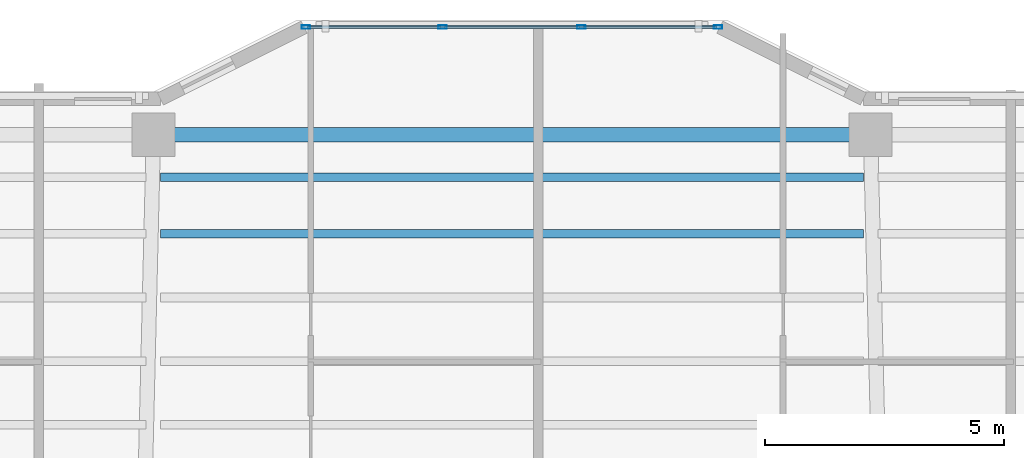
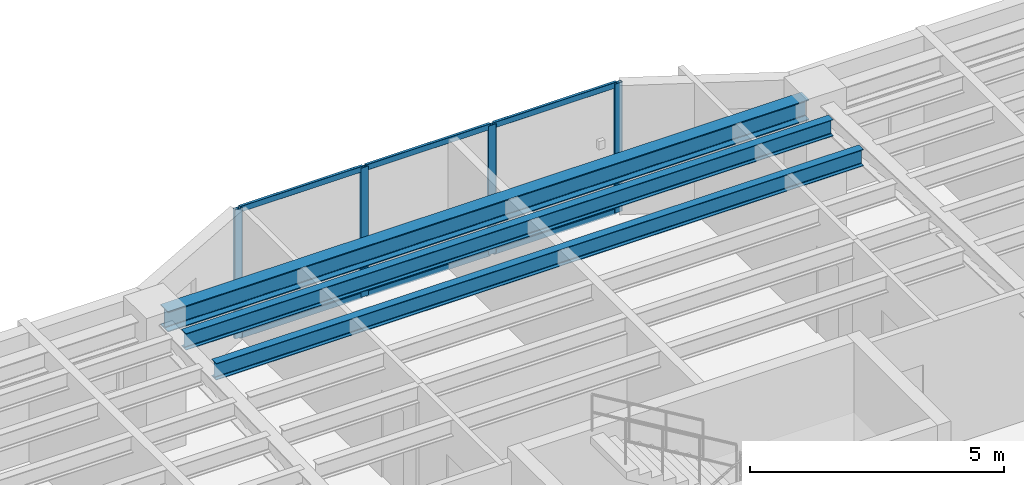
# One storey, part 4 of 16: 10 members, 3 beams, 1 element without a shape of its own.
"""IFC4 building model written with IfcOpenShell, lengths in metres."""

import ifcopenshell
import ifcopenshell.guid

model = None  # the IFC model being written
_history = None  # IfcOwnerHistory: only IFC2X3 demands one
_inside = {}  # id of a spatial element -> (the spatial element, [elements in it])
_under = {}  # id of a project, library or spatial element -> (it, [spatial elements below it])
_declared = {}  # id of a project -> (the project, [libraries it declares])
_typed = {}  # id of a type object -> (the type object, [elements of that type])
_made_of = {}  # id of a material, layer set ... -> (it, [elements and type objects made of it])


def new_model(schema):
    """Start an empty IFC model of exactly this schema.

    Asked for "IFC4X3", IfcOpenShell would pick the latest addendum, in which some entities
    have other attributes; the version numbers below select the first issue.
    IFC2X3 requires an IfcOwnerHistory on every rooted entity: one is made here for all.
    """
    global model, _history
    if schema == "IFC4X3":
        model = ifcopenshell.file(schema_version=(4, 3, 0, 0))
    else:
        model = ifcopenshell.file(schema=schema)
    _inside.clear()
    _under.clear()
    _declared.clear()
    _typed.clear()
    _made_of.clear()
    _history = None
    if model.schema == "IFC2X3":
        org = make("IfcOrganization", Name="unknown")
        user = make(
            "IfcPersonAndOrganization",
            ThePerson=make("IfcPerson", FamilyName="unknown"),
            TheOrganization=org,
        )
        app = make(
            "IfcApplication",
            ApplicationDeveloper=org,
            Version="unknown",
            ApplicationFullName="unknown",
            ApplicationIdentifier="unknown",
        )
        _history = make(
            "IfcOwnerHistory",
            OwningUser=user,
            OwningApplication=app,
            ChangeAction="ADDED",
            CreationDate=0,
        )
    return model


def make(cls, **values):
    """One entity of the class cls with the attributes given. An attribute that is None is left unset."""
    return model.create_entity(
        cls, **{name: value for name, value in values.items() if value is not None}
    )


def rooted(cls, **values):
    """An entity with a GlobalId (a new one), such as an element, a storey or a relation."""
    return make(cls, GlobalId=ifcopenshell.guid.new(), OwnerHistory=_history, **values)


def si_unit(unit_type, name, prefix=None):
    """IfcSIUnit, for example si_unit("LENGTHUNIT", "METRE", prefix="MILLI")."""
    return make("IfcSIUnit", UnitType=unit_type, Prefix=prefix, Name=name)


def assignment(units):
    """IfcUnitAssignment: the units of a project."""
    return None if units is None else make("IfcUnitAssignment", Units=units)


def point(xyz):
    """IfcCartesianPoint."""
    return None if xyz is None else make("IfcCartesianPoint", Coordinates=xyz)


def direction(xyz):
    """IfcDirection."""
    return None if xyz is None else make("IfcDirection", DirectionRatios=xyz)


def frame(location, z_axis=None, x_axis=None):
    """IfcAxis2Placement3D, a coordinate frame: its origin and axes. An axis left out is left unset."""
    return make(
        "IfcAxis2Placement3D",
        Location=point(location),
        Axis=direction(z_axis),
        RefDirection=direction(x_axis),
    )


def frame_2d(location, x_axis=None):
    """IfcAxis2Placement2D, a coordinate frame in the plane: its origin and x axis."""
    return make(
        "IfcAxis2Placement2D", Location=point(location), RefDirection=direction(x_axis)
    )


def origin():
    """The frame at (0, 0, 0) with its axes left unset."""
    return frame((0.0, 0.0, 0.0))


def origin_2d():
    """The frame at (0, 0) in the plane with its x axis left unset."""
    return frame_2d((0.0, 0.0))


def place(relative_to, where):
    """IfcLocalPlacement: puts the frame where relative to a parent placement (None: the world)."""
    return make(
        "IfcLocalPlacement", PlacementRelTo=relative_to, RelativePlacement=where
    )


def context(
    kind, dimensions, precision=None, world=None, true_north=None, identifier=None
):
    """IfcGeometricRepresentationContext, for example the 3D "Model" context."""
    return make(
        "IfcGeometricRepresentationContext",
        ContextIdentifier=identifier,
        ContextType=kind,
        CoordinateSpaceDimension=dimensions,
        Precision=precision,
        WorldCoordinateSystem=world,
        TrueNorth=true_north,
    )


def subcontext(parent, identifier, kind, view, scale=None):
    """IfcGeometricRepresentationSubContext, for example "Body" below "Model"."""
    return make(
        "IfcGeometricRepresentationSubContext",
        ContextIdentifier=identifier,
        ContextType=kind,
        ParentContext=parent,
        TargetScale=scale,
        TargetView=view,
    )


def project(units=None, contexts=None):
    """IfcProject with its units and contexts."""
    return rooted(
        "IfcProject",
        Name="project",
        RepresentationContexts=contexts,
        UnitsInContext=assignment(units),
    )


def spatial(cls, under=None, at=None, **own):
    """A site, building, storey or space (cls), placed at a placement, below another one or the project."""
    s = rooted(cls, ObjectPlacement=at, **own)
    if under is not None:
        _under.setdefault(under.id(), (under, []))[1].append(s)
    return s


def profile(cls, at=None, kind="AREA", **sizes):
    """A parametric profile (cls). Its sizes go by their IFC names, for example OverallWidth=200.0."""
    return make(cls, ProfileType=kind, Position=at, **sizes)


def hollow_rectangle(**sizes):
    """IfcRectangleHollowProfileDef."""
    return profile("IfcRectangleHollowProfileDef", **sizes)


def i_section(**sizes):
    """IfcIShapeProfileDef."""
    return profile("IfcIShapeProfileDef", **sizes)


def extrude(swept, where, along, depth):
    """IfcExtrudedAreaSolid: the profile swept, set in the frame where, extruded along a direction by depth."""
    return make(
        "IfcExtrudedAreaSolid",
        SweptArea=swept,
        Position=where,
        ExtrudedDirection=direction(along),
        Depth=depth,
    )


def shape(context_of_items, identifier, shape_type, items):
    """IfcShapeRepresentation: the items that make up one representation, for example the "Body"."""
    return make(
        "IfcShapeRepresentation",
        ContextOfItems=context_of_items,
        RepresentationIdentifier=identifier,
        RepresentationType=shape_type,
        Items=items,
    )


def material(Name=None, Category=None):
    """IfcMaterial."""
    return make("IfcMaterial", Name=Name, Category=Category)


def layer(
    of_material, thickness, ventilated=None, Name=None, Category=None, Priority=None
):
    """IfcMaterialLayer: one layer of a wall or slab, of a material (None: an air gap)."""
    return make(
        "IfcMaterialLayer",
        Material=of_material,
        LayerThickness=thickness,
        IsVentilated=ventilated,
        Name=Name,
        Category=Category,
        Priority=Priority,
    )


def layer_set(layers, Name=None):
    """IfcMaterialLayerSet."""
    return make("IfcMaterialLayerSet", MaterialLayers=layers, LayerSetName=Name)


def material_profile(
    of_material, cross_section, Name=None, Category=None, Priority=None
):
    """IfcMaterialProfile: a cross section and its material."""
    return make(
        "IfcMaterialProfile",
        Name=Name,
        Material=of_material,
        Profile=cross_section,
        Priority=Priority,
        Category=Category,
    )


def profile_set(profiles, Name=None, composite=None):
    """IfcMaterialProfileSet."""
    return make(
        "IfcMaterialProfileSet",
        Name=Name,
        MaterialProfiles=profiles,
        CompositeProfile=composite,
    )


def made_of(thing, what):
    """Note that an element or type object is made of a material, layer set ...; save() writes the relation."""
    if what is not None:
        _made_of.setdefault(what.id(), (what, []))[1].append(thing)
    return thing


def type_object(cls, material=None, **own):
    """A type object (cls), such as IfcWallType, which elements share."""
    return made_of(rooted(cls, **own), material)


def element(
    cls,
    number,
    at=None,
    inside=None,
    cuts=None,
    type_object=None,
    material=None,
    context=None,
    identifier="Body",
    shape_type=None,
    held_by="IfcProductDefinitionShape",
    body=None,
    shapes=None,
    **own,
):
    """One element of the class cls, such as IfcWall. Its Tag is "e" and its number.

    at: its placement. inside: the storey or other place that contains it. cuts: it is an
    opening in that element (IfcRelVoidsElement). A single representation is given by context,
    identifier, shape_type and body (its items); several are given by shapes. held_by: the class
    of the entity that holds the representations. save() writes the other relations.
    """
    e = rooted(cls, Tag="e%d" % number, ObjectPlacement=at, **own)
    if body is not None:
        shapes = [shape(context, identifier, shape_type, body)]
    if shapes is not None:
        e.Representation = make(held_by, Representations=shapes)
    if inside is not None:
        _inside.setdefault(inside.id(), (inside, []))[1].append(e)
    if cuts is not None:
        rooted(
            "IfcRelVoidsElement", RelatingBuildingElement=cuts, RelatedOpeningElement=e
        )
    if type_object is not None:
        _typed.setdefault(type_object.id(), (type_object, []))[1].append(e)
    return made_of(e, material)


def aggregate(whole, parts):
    """IfcRelAggregates: a whole, such as a stair, and the parts it consists of."""
    return rooted("IfcRelAggregates", RelatingObject=whole, RelatedObjects=parts)


def save(model, path):
    """Write the relations noted so far, then the file.

    IfcRelAggregates (storeys below a building ...), IfcRelContainedInSpatialStructure (elements
    in a storey), IfcRelDefinesByType, IfcRelAssociatesMaterial and IfcRelDeclares: one each for
    every whole, place, type object, material and project.
    """
    for whole, parts in _under.values():
        aggregate(whole, parts)
    for where, things in _inside.values():
        rooted(
            "IfcRelContainedInSpatialStructure",
            RelatedElements=things,
            RelatingStructure=where,
        )
    for kind, things in _typed.values():
        rooted("IfcRelDefinesByType", RelatedObjects=things, RelatingType=kind)
    for what, things in _made_of.values():
        rooted("IfcRelAssociatesMaterial", RelatedObjects=things, RelatingMaterial=what)
    for by, libraries in _declared.values():
        rooted("IfcRelDeclares", RelatingContext=by, RelatedDefinitions=libraries)
    model.write(path)


model = new_model("IFC4")

# Units and contexts
model_context = context("Model", 3, precision=1e-05, world=origin(), true_north=direction((0.0, 1.0)))
body_context = subcontext(model_context, "Body", "Model", "MODEL_VIEW")
ifc_project = project(units=[si_unit("LENGTHUNIT", "METRE"), si_unit("AREAUNIT", "SQUARE_METRE"), si_unit("VOLUMEUNIT", "CUBIC_METRE"), si_unit("PLANEANGLEUNIT", "RADIAN"), si_unit("MASSUNIT", "GRAM", prefix="KILO")], contexts=[model_context])

# Site, building, storey
site_placement = place(None, origin())
site = spatial("IfcSite", under=ifc_project, at=site_placement, CompositionType="ELEMENT")
building_placement = place(site_placement, origin())
building = spatial("IfcBuilding", under=site, at=building_placement, Name="Tarnavaz Court Tower", CompositionType="ELEMENT")
storey_placement = place(building_placement, frame((0.0, 0.0, 135.949951171875)))
storey = spatial("IfcBuildingStorey", under=building, at=storey_placement, Name="L36", CompositionType="ELEMENT", Elevation=135.949951171875)

# Beams
ifc_material_1 = material(Name="Steel S355", Category="steel")
ifc_material_profile_1 = material_profile(ifc_material_1, i_section(OverallWidth=0.179931640625, OverallDepth=0.39990234375, WebThickness=0.008544921875, FlangeThickness=0.013427734375, FilletRadius=0.02099609375, at=origin_2d()), Name="IPE 400")
ifc_profile_set_1 = profile_set([ifc_material_profile_1], Name="Steel S355")
beam_type_1 = type_object("IfcBeamType", Name="BM-J-IPE400", PredefinedType="JOIST", material=ifc_profile_set_1)
for number, where, z_axis, x_axis, name in (
    (1, (-7.35009765625, 18.327880859375, 2.900146484375), (1.0, 0.0, 0.0), (0.0, 1.0, 0.0), "L36 Beam JN4-2"),
    (2, (-7.35009765625, 19.511962890625, 2.900146484375), (1.0, 0.0, 0.0), (0.0, 1.0, 0.0), "L36 Beam JN5-2"),
):
    element("IfcBeam", number, at=place(storey_placement, frame(where, z_axis=z_axis, x_axis=x_axis)), inside=storey, type_object=beam_type_1, Name=name, PredefinedType="JOIST", context=body_context, shape_type="SweptSolid", body=[
        extrude(i_section(OverallWidth=0.179931640625, OverallDepth=0.39990234375, WebThickness=0.008544921875, FlangeThickness=0.013427734375, FilletRadius=0.02099609375, at=origin_2d()), origin(), (0.0, 0.0, 1.0), 14.7001953125),
    ])
ifc_material_profile_2 = material_profile(ifc_material_1, i_section(OverallWidth=0.300048828125, OverallDepth=0.489990234375, WebThickness=0.011962890625, FlangeThickness=0.02294921875, FilletRadius=0.027099609375, at=origin_2d()), Name="HEA 500")
ifc_profile_set_2 = profile_set([ifc_material_profile_2], Name="Steel S355")
beam_type_2 = type_object("IfcBeamType", Name="BM-SP-HEA500", PredefinedType="SPANDREL", material=ifc_profile_set_2)
beam_placement = place(storey_placement, frame((-7.280029296875, 20.39990234375, 2.85498046875), z_axis=(1.0, 0.0, 0.0), x_axis=(0.0, 1.0, 0.0)))
element("IfcBeam", 3, at=beam_placement, inside=storey, type_object=beam_type_2, Name="L36 Beam PR-PN-2-PN-3", PredefinedType="SPANDREL", context=body_context, shape_type="SweptSolid", body=[
    extrude(i_section(OverallWidth=0.300048828125, OverallDepth=0.489990234375, WebThickness=0.011962890625, FlangeThickness=0.02294921875, FilletRadius=0.027099609375, at=origin_2d()), origin(), (0.0, 0.0, 1.0), 14.56005859375),
])

# Curtain wall, members
ifc_material_2 = material(Name="Anodised Aluminium 6063-T6 and Solar Low-E Glazing", Category="aluminium")
ifc_layer = layer(ifc_material_2, 0.159912109375)
ifc_layer_set = layer_set([ifc_layer], Name="Anodised Aluminium 6063-T6 and Solar Low-E Glazing")
curtain_wall_type = type_object("IfcCurtainWallType", Name="CW-SYS-03", PredefinedType="NOTDEFINED", material=ifc_layer_set)
curtain_wall_placement = place(storey_placement, origin())
curtain_wall = element("IfcCurtainWall", 4, at=curtain_wall_placement, inside=storey, type_object=curtain_wall_type, Name="L36 Iwan Prow Curtain Wall 7", PredefinedType="NOTDEFINED")
ifc_material_3 = material(Name="Anodised Aluminium 6063-T6", Category="aluminium")
ifc_material_profile_3 = material_profile(ifc_material_3, hollow_rectangle(XDim=0.074951171875, YDim=0.179931640625, WallThickness=0.0048828125, InnerFilletRadius=0.0048828125, OuterFilletRadius=0.010009765625, at=origin_2d()), Name="ALU RHS 180X75X5")
ifc_profile_set_3 = profile_set([ifc_material_profile_3], Name="Anodised Aluminium 6063-T6")
member_type_1 = type_object("IfcMemberType", Name="CW-MUL-180", PredefinedType="MULLION", material=ifc_profile_set_3)
member_1_placement = place(storey_placement, frame((-4.3125, 22.64990234375, 0.0), z_axis=(0.0, 0.0, 1.0), x_axis=(0.0, 1.0, 0.0)))
member_1 = element("IfcMember", 5, at=member_1_placement, type_object=member_type_1, Name="CW mullion 1", PredefinedType="MULLION", context=body_context, shape_type="SweptSolid", body=[
    extrude(hollow_rectangle(XDim=0.074951171875, YDim=0.179931640625, WallThickness=0.0048828125, InnerFilletRadius=0.0048828125, OuterFilletRadius=0.010009765625, at=origin_2d()), origin(), (0.0, 0.0, 1.0), 3.10009765625),
])
member_2_placement = place(storey_placement, frame((-1.449951171875, 22.64990234375, 0.0), z_axis=(0.0, 0.0, 1.0), x_axis=(0.0, 1.0, 0.0)))
member_2 = element("IfcMember", 6, at=member_2_placement, type_object=member_type_1, Name="CW mullion 2", PredefinedType="MULLION", context=body_context, shape_type="SweptSolid", body=[
    extrude(hollow_rectangle(XDim=0.074951171875, YDim=0.179931640625, WallThickness=0.0048828125, InnerFilletRadius=0.0048828125, OuterFilletRadius=0.010009765625, at=origin_2d()), origin(), (0.0, 0.0, 1.0), 3.10009765625),
])
member_3_placement = place(storey_placement, frame((1.449951171875, 22.64990234375, 0.0), z_axis=(0.0, 0.0, 1.0), x_axis=(0.0, 1.0, 0.0)))
member_3 = element("IfcMember", 7, at=member_3_placement, type_object=member_type_1, Name="CW mullion 3", PredefinedType="MULLION", context=body_context, shape_type="SweptSolid", body=[
    extrude(hollow_rectangle(XDim=0.074951171875, YDim=0.179931640625, WallThickness=0.0048828125, InnerFilletRadius=0.0048828125, OuterFilletRadius=0.010009765625, at=origin_2d()), origin(), (0.0, 0.0, 1.0), 3.10009765625),
])
member_4_placement = place(storey_placement, frame((4.3125, 22.64990234375, 0.0), z_axis=(0.0, 0.0, 1.0), x_axis=(0.0, 1.0, 0.0)))
member_4 = element("IfcMember", 8, at=member_4_placement, type_object=member_type_1, Name="CW mullion 4", PredefinedType="MULLION", context=body_context, shape_type="SweptSolid", body=[
    extrude(hollow_rectangle(XDim=0.074951171875, YDim=0.179931640625, WallThickness=0.0048828125, InnerFilletRadius=0.0048828125, OuterFilletRadius=0.010009765625, at=origin_2d()), origin(), (0.0, 0.0, 1.0), 3.10009765625),
])
ifc_material_profile_4 = material_profile(ifc_material_3, hollow_rectangle(XDim=0.06494140625, YDim=0.139892578125, WallThickness=0.00390625, InnerFilletRadius=0.00390625, OuterFilletRadius=0.008056640625, at=origin_2d()), Name="ALU RHS 140X65X4")
ifc_profile_set_4 = profile_set([ifc_material_profile_4], Name="Anodised Aluminium 6063-T6")
member_type_2 = type_object("IfcMemberType", Name="CW-TRN-140", PredefinedType="USERDEFINED", material=ifc_profile_set_4)
member_5_placement = place(storey_placement, frame((-4.27490234375, 22.64990234375, 0.032470703125), z_axis=(1.0, 0.0, 0.0), x_axis=(0.0, 1.0, 0.0)))
member_5 = element("IfcMember", 9, at=member_5_placement, type_object=member_type_2, Name="CW transom 1.1", ObjectType="TRANSOM", PredefinedType="USERDEFINED", context=body_context, shape_type="SweptSolid", body=[
    extrude(hollow_rectangle(XDim=0.06494140625, YDim=0.139892578125, WallThickness=0.00390625, InnerFilletRadius=0.00390625, OuterFilletRadius=0.008056640625, at=origin_2d()), origin(), (0.0, 0.0, 1.0), 2.787353515625),
])
member_6_placement = place(storey_placement, frame((-4.27490234375, 22.64990234375, 3.067626953125), z_axis=(1.0, 0.0, 0.0), x_axis=(0.0, 1.0, 0.0)))
member_6 = element("IfcMember", 10, at=member_6_placement, type_object=member_type_2, Name="CW transom 1.2", ObjectType="TRANSOM", PredefinedType="USERDEFINED", context=body_context, shape_type="SweptSolid", body=[
    extrude(hollow_rectangle(XDim=0.06494140625, YDim=0.139892578125, WallThickness=0.00390625, InnerFilletRadius=0.00390625, OuterFilletRadius=0.008056640625, at=origin_2d()), origin(), (0.0, 0.0, 1.0), 2.787353515625),
])
member_7_placement = place(storey_placement, frame((-1.41259765625, 22.64990234375, 0.032470703125), z_axis=(1.0, 0.0, 0.0), x_axis=(0.0, 1.0, 0.0)))
member_7 = element("IfcMember", 11, at=member_7_placement, type_object=member_type_2, Name="CW transom 2.1", ObjectType="TRANSOM", PredefinedType="USERDEFINED", context=body_context, shape_type="SweptSolid", body=[
    extrude(hollow_rectangle(XDim=0.06494140625, YDim=0.139892578125, WallThickness=0.00390625, InnerFilletRadius=0.00390625, OuterFilletRadius=0.008056640625, at=origin_2d()), origin(), (0.0, 0.0, 1.0), 2.8251953125),
])
member_8_placement = place(storey_placement, frame((-1.41259765625, 22.64990234375, 3.067626953125), z_axis=(1.0, 0.0, 0.0), x_axis=(0.0, 1.0, 0.0)))
member_8 = element("IfcMember", 12, at=member_8_placement, type_object=member_type_2, Name="CW transom 2.2", ObjectType="TRANSOM", PredefinedType="USERDEFINED", context=body_context, shape_type="SweptSolid", body=[
    extrude(hollow_rectangle(XDim=0.06494140625, YDim=0.139892578125, WallThickness=0.00390625, InnerFilletRadius=0.00390625, OuterFilletRadius=0.008056640625, at=origin_2d()), origin(), (0.0, 0.0, 1.0), 2.8251953125),
])
member_9_placement = place(storey_placement, frame((1.487548828125, 22.64990234375, 0.032470703125), z_axis=(1.0, 0.0, 0.0), x_axis=(0.0, 1.0, 0.0)))
member_9 = element("IfcMember", 13, at=member_9_placement, type_object=member_type_2, Name="CW transom 3.1", ObjectType="TRANSOM", PredefinedType="USERDEFINED", context=body_context, shape_type="SweptSolid", body=[
    extrude(hollow_rectangle(XDim=0.06494140625, YDim=0.139892578125, WallThickness=0.00390625, InnerFilletRadius=0.00390625, OuterFilletRadius=0.008056640625, at=origin_2d()), origin(), (0.0, 0.0, 1.0), 2.787353515625),
])
member_10_placement = place(storey_placement, frame((1.487548828125, 22.64990234375, 3.067626953125), z_axis=(1.0, 0.0, 0.0), x_axis=(0.0, 1.0, 0.0)))
member_10 = element("IfcMember", 14, at=member_10_placement, type_object=member_type_2, Name="CW transom 3.2", ObjectType="TRANSOM", PredefinedType="USERDEFINED", context=body_context, shape_type="SweptSolid", body=[
    extrude(hollow_rectangle(XDim=0.06494140625, YDim=0.139892578125, WallThickness=0.00390625, InnerFilletRadius=0.00390625, OuterFilletRadius=0.008056640625, at=origin_2d()), origin(), (0.0, 0.0, 1.0), 2.787353515625),
])
aggregate(curtain_wall, [member_1, member_2, member_3, member_4, member_5, member_6, member_7, member_8, member_9, member_10])

save(model, "model.ifc")
